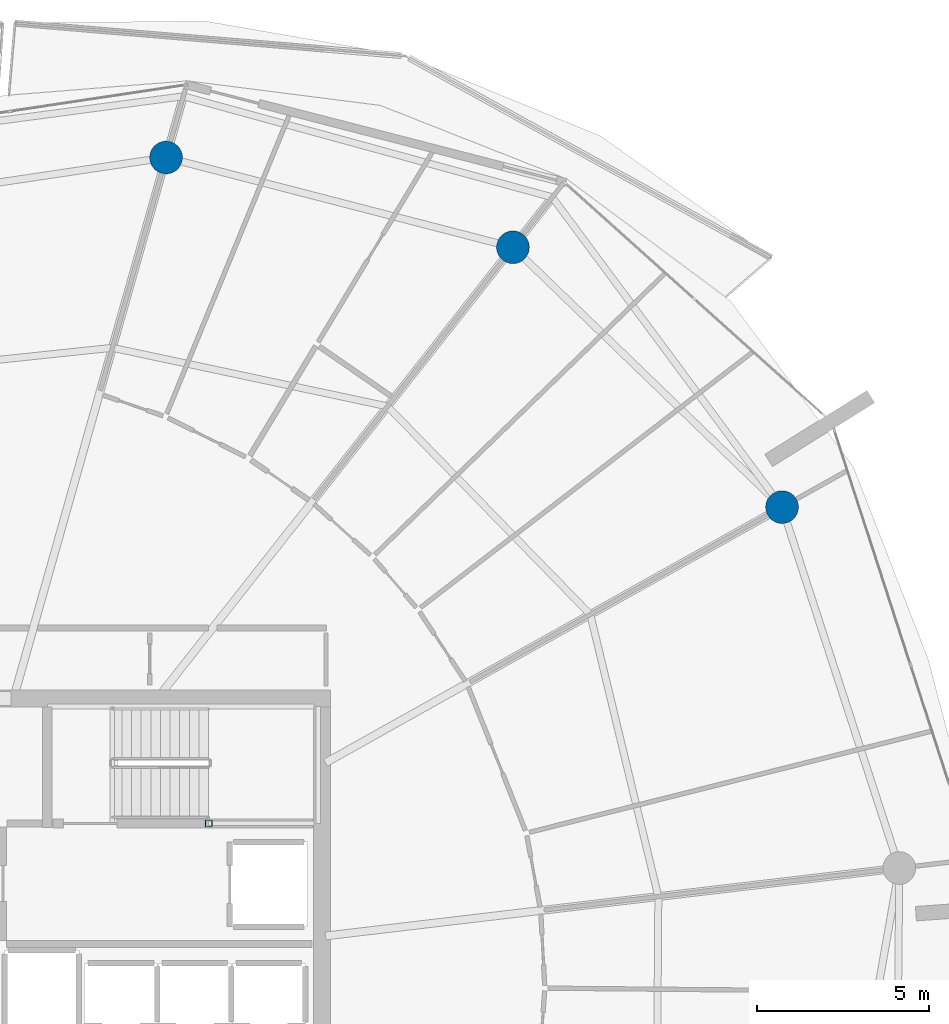
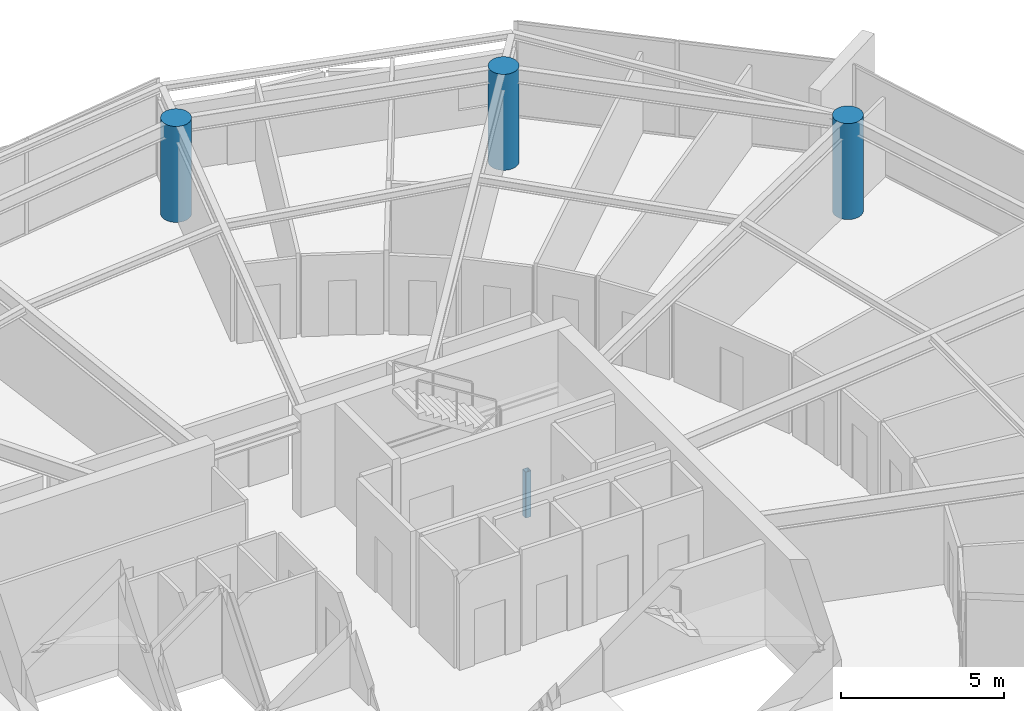
# One storey, part 5 of 31: 4 columns.
"""IFC4 building model written with IfcOpenShell, lengths in metres."""

from ifc_helpers import new_model, si_unit, direction, frame, origin, origin_2d, place, context, subcontext, project, spatial, hollow_rectangle, circle, extrude, material, material_profile, profile_set, type_object, element, save


model = new_model("IFC4")

# Units and contexts
model_context = context("Model", 3, precision=1e-05, world=origin(), true_north=direction((0.0, 1.0)))
body_context = subcontext(model_context, "Body", "Model", "MODEL_VIEW")
ifc_project = project(units=[si_unit("LENGTHUNIT", "METRE"), si_unit("AREAUNIT", "SQUARE_METRE"), si_unit("VOLUMEUNIT", "CUBIC_METRE"), si_unit("PLANEANGLEUNIT", "RADIAN"), si_unit("MASSUNIT", "GRAM", prefix="KILO")], contexts=[model_context])

# Site, building, storey
site_placement = place(None, origin())
site = spatial("IfcSite", under=ifc_project, at=site_placement, CompositionType="ELEMENT")
building_placement = place(site_placement, origin())
building = spatial("IfcBuilding", under=site, at=building_placement, Name="Kazma Halo Residences", CompositionType="ELEMENT")
storey_placement = place(building_placement, frame((0.0, 0.0, 275.199951171875)))
storey = spatial("IfcBuildingStorey", under=building, at=storey_placement, Name="L69", CompositionType="ELEMENT", Elevation=275.199951171875)

# Columns
ifc_material_1 = material(Name="Steel S355", Category="steel")
ifc_material_profile_1 = material_profile(ifc_material_1, hollow_rectangle(XDim=0.199951171875, YDim=0.199951171875, WallThickness=0.010009765625, InnerFilletRadius=0.010009765625, OuterFilletRadius=0.02001953125, at=origin_2d()), Name="SHS200x200x10")
ifc_profile_set_1 = profile_set([ifc_material_profile_1], Name="Steel S355")
column_type_1 = type_object("IfcColumnType", Name="COL-LP-SHS200", PredefinedType="COLUMN", material=ifc_profile_set_1)
column_placement = place(storey_placement, frame((56.0, 46.6201171875, 0.0), z_axis=(0.0, 0.0, 1.0), x_axis=(1.0, 0.0, 0.0)))
element("IfcColumn", 1, at=column_placement, inside=storey, type_object=column_type_1, Name="L69 ST-02 landing pilaster 1", PredefinedType="COLUMN", context=body_context, shape_type="SweptSolid", body=[
    extrude(hollow_rectangle(XDim=0.199951171875, YDim=0.199951171875, WallThickness=0.010009765625, InnerFilletRadius=0.010009765625, OuterFilletRadius=0.02001953125, at=origin_2d()), origin(), (0.0, 0.0, 1.0), 1.719970703125),
])
ifc_material_2 = material(Name="Concrete C60/75", Category="concrete")
ifc_material_profile_2 = material_profile(ifc_material_2, circle(Radius=0.47509765625, at=origin_2d()), Name="CIRC950")
ifc_profile_set_2 = profile_set([ifc_material_profile_2], Name="Concrete C60/75")
column_type_2 = type_object("IfcColumnType", Name="COL-PERIM-950", PredefinedType="COLUMN", material=ifc_profile_set_2)
for number, where, z_axis, x_axis, name in (
    (2, (72.67041015625, 55.81591796875, 0.0), (0.0, 0.0, 1.0), (1.0, 0.0, 0.0), "L69 perimeter ring column P01"),
    (3, (64.84716796875, 63.37060546875, 0.0), (0.0, 0.0, 1.0), (1.0, 0.0, 0.0), "L69 perimeter ring column P02"),
    (4, (54.762939453125, 65.9794921875, 0.0), (0.0, 0.0, 1.0), (1.0, 0.0, 0.0), "L69 perimeter ring column P03"),
):
    element("IfcColumn", number, at=place(storey_placement, frame(where, z_axis=z_axis, x_axis=x_axis)), inside=storey, type_object=column_type_2, Name=name, PredefinedType="COLUMN", context=body_context, shape_type="SweptSolid", body=[
        extrude(circle(Radius=0.47509765625, at=origin_2d()), origin(), (0.0, 0.0, 1.0), 3.590087890625),
    ])

save(model, "model.ifc")
